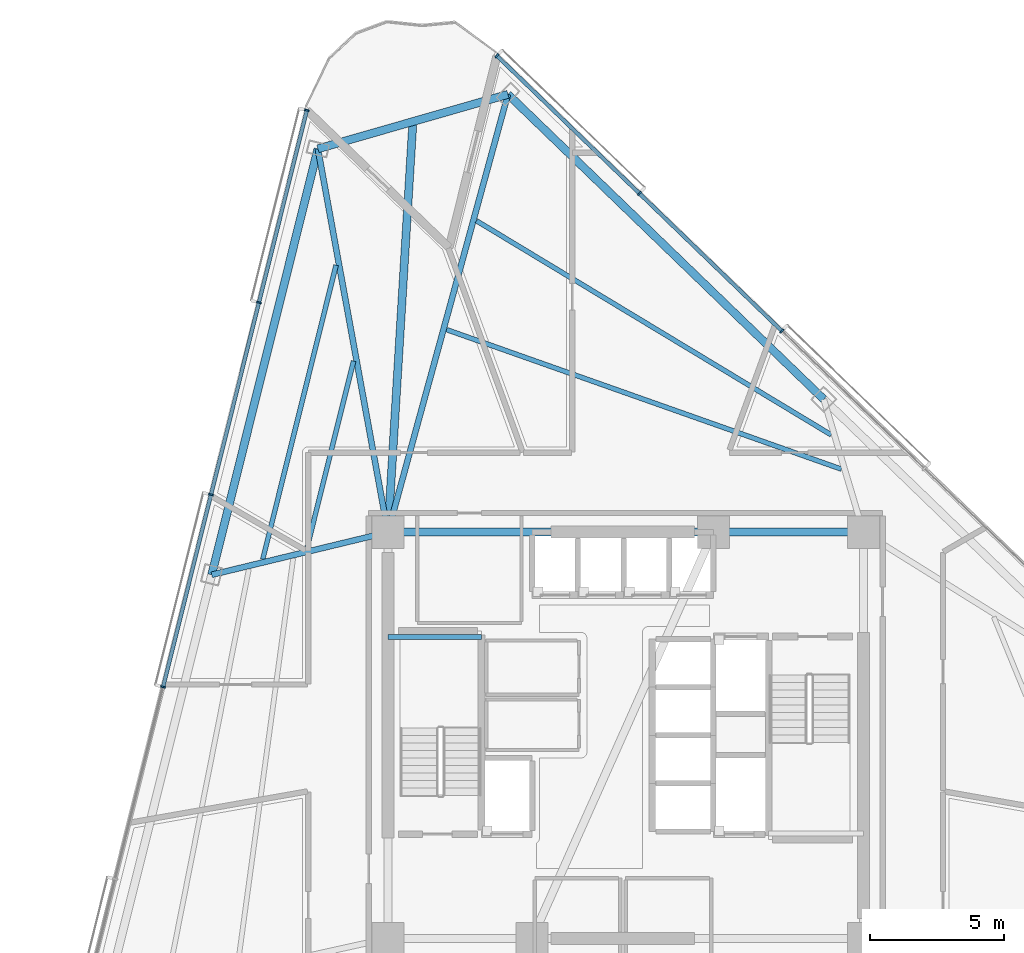
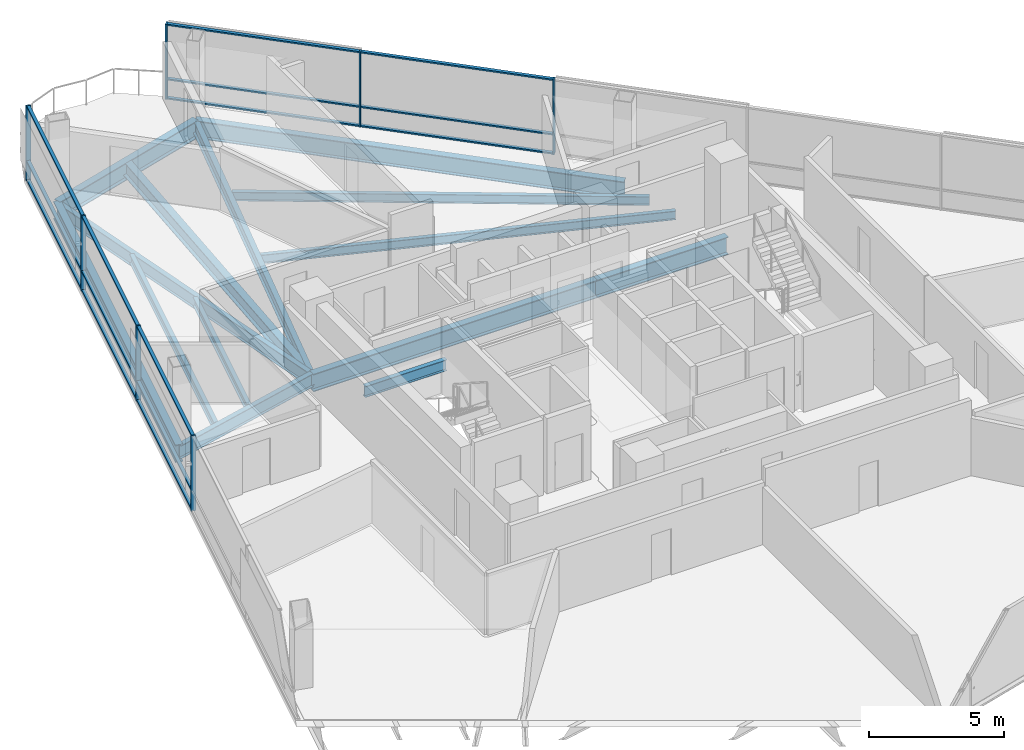
# One storey, part 6 of 19: 22 members, 14 beams, 2 elements without a shape of their own.
"""IFC4 building model written with IfcOpenShell, lengths in metres."""

from ifc_helpers import new_model, si_unit, direction, frame, origin, origin_2d, place, context, subcontext, project, spatial, rectangle, i_section, extrude, material, layer, layer_set, material_profile, profile_set, type_object, element, aggregate, save


model = new_model("IFC4")

# Units and contexts
model_context = context("Model", 3, precision=1e-05, world=origin(), true_north=direction((0.0, 1.0)))
body_context = subcontext(model_context, "Body", "Model", "MODEL_VIEW")
ifc_project = project(units=[si_unit("LENGTHUNIT", "METRE"), si_unit("AREAUNIT", "SQUARE_METRE"), si_unit("VOLUMEUNIT", "CUBIC_METRE"), si_unit("PLANEANGLEUNIT", "RADIAN"), si_unit("MASSUNIT", "GRAM", prefix="KILO")], contexts=[model_context])

# Site, building, storey
site_placement = place(None, origin())
site = spatial("IfcSite", under=ifc_project, at=site_placement, CompositionType="ELEMENT")
building_placement = place(site_placement, origin())
building = spatial("IfcBuilding", under=site, at=building_placement, Name="Tharavind Bronze Gate", CompositionType="ELEMENT")
storey_placement = place(building_placement, frame((0.0, 0.0, 89.699951171875)))
storey = spatial("IfcBuildingStorey", under=building, at=storey_placement, Name="L22", CompositionType="ELEMENT", Elevation=89.699951171875)

# Curtain wall, members
ifc_material_1 = material(Name="Anodised Bronze Aluminium", Category="aluminium")
ifc_layer = layer(ifc_material_1, 0.219970703125)
ifc_layer_set = layer_set([ifc_layer], Name="Anodised Bronze Aluminium")
curtain_wall_type = type_object("IfcCurtainWallType", Name="UNITISED CURTAIN WALL LOWER OFFICE", PredefinedType="USERDEFINED", material=ifc_layer_set)
curtain_wall_1_placement = place(storey_placement, origin())
curtain_wall_1 = element("IfcCurtainWall", 1, at=curtain_wall_1_placement, inside=storey, type_object=curtain_wall_type, Name="L22 unitised curtain wall lower office CW-L22-S1", ObjectType="UNITISED CURTAIN WALL", PredefinedType="USERDEFINED")
member_type_1 = type_object("IfcMemberType", Name="CURTAIN WALL BRONZE MULLION 65X180", PredefinedType="MULLION", material=ifc_material_1)
member_1_placement = place(storey_placement, frame((-11.93359375, 23.394287109375, 0.0), z_axis=(0.0, 0.0, 1.0), x_axis=(-0.2419218956, -0.970295726276, 0.0)))
member_1 = element("IfcMember", 2, at=member_1_placement, type_object=member_type_1, Name="CW-L22-S1 mullion 1", PredefinedType="MULLION", context=body_context, shape_type="SweptSolid", body=[
    extrude(rectangle(XDim=0.06494140625, YDim=0.179931640625, at=origin_2d()), origin(), (0.0, 0.0, 1.0), 3.409912109375),
])
member_2_placement = place(storey_placement, frame((-13.727294921875, 16.2001953125, 0.0), z_axis=(0.0, 0.0, 1.0), x_axis=(-0.2419218956, -0.970295726276, 0.0)))
member_2 = element("IfcMember", 3, at=member_2_placement, type_object=member_type_1, Name="CW-L22-S1 mullion 2", PredefinedType="MULLION", context=body_context, shape_type="SweptSolid", body=[
    extrude(rectangle(XDim=0.06494140625, YDim=0.179931640625, at=origin_2d()), origin(), (0.0, 0.0, 1.0), 3.409912109375),
])
member_3_placement = place(storey_placement, frame((-15.52099609375, 9.00634765625, 0.0), z_axis=(0.0, 0.0, 1.0), x_axis=(-0.2419218956, -0.970295726276, 0.0)))
member_3 = element("IfcMember", 4, at=member_3_placement, type_object=member_type_1, Name="CW-L22-S1 mullion 3", PredefinedType="MULLION", context=body_context, shape_type="SweptSolid", body=[
    extrude(rectangle(XDim=0.06494140625, YDim=0.179931640625, at=origin_2d()), origin(), (0.0, 0.0, 1.0), 3.409912109375),
])
member_4_placement = place(storey_placement, frame((-17.314697265625, 1.812255859375, 0.0), z_axis=(0.0, 0.0, 1.0), x_axis=(-0.2419218956, -0.970295726276, 0.0)))
member_4 = element("IfcMember", 5, at=member_4_placement, type_object=member_type_1, Name="CW-L22-S1 mullion 4", PredefinedType="MULLION", context=body_context, shape_type="SweptSolid", body=[
    extrude(rectangle(XDim=0.06494140625, YDim=0.179931640625, at=origin_2d()), origin(), (0.0, 0.0, 1.0), 3.409912109375),
])

curtain_wall_2_placement = place(storey_placement, origin())
curtain_wall_2 = element("IfcCurtainWall", 6, at=curtain_wall_2_placement, inside=storey, type_object=curtain_wall_type, Name="L22 unitised curtain wall lower office CW-L22-S3", ObjectType="UNITISED CURTAIN WALL", PredefinedType="USERDEFINED")
member_5_placement = place(storey_placement, frame((5.84619140625, 15.13330078125, 0.0), z_axis=(0.0, 0.0, 1.0), x_axis=(-0.719341012745, 0.694657114973, 0.0)))
member_5 = element("IfcMember", 7, at=member_5_placement, type_object=member_type_1, Name="CW-L22-S3 mullion 6", PredefinedType="MULLION", context=body_context, shape_type="SweptSolid", body=[
    extrude(rectangle(XDim=0.06494140625, YDim=0.179931640625, at=origin_2d()), origin(), (0.0, 0.0, 1.0), 3.409912109375),
])
member_6_placement = place(storey_placement, frame((0.512939453125, 20.28369140625, 0.0), z_axis=(0.0, 0.0, 1.0), x_axis=(-0.719341012745, 0.694657114973, 0.0)))
member_6 = element("IfcMember", 8, at=member_6_placement, type_object=member_type_1, Name="CW-L22-S3 mullion 7", PredefinedType="MULLION", context=body_context, shape_type="SweptSolid", body=[
    extrude(rectangle(XDim=0.06494140625, YDim=0.179931640625, at=origin_2d()), origin(), (0.0, 0.0, 1.0), 3.409912109375),
])
member_7_placement = place(storey_placement, frame((-4.8203125, 25.433837890625, 0.0), z_axis=(0.0, 0.0, 1.0), x_axis=(-0.719341012745, 0.694657114973, 0.0)))
member_7 = element("IfcMember", 9, at=member_7_placement, type_object=member_type_1, Name="CW-L22-S3 mullion 8", PredefinedType="MULLION", context=body_context, shape_type="SweptSolid", body=[
    extrude(rectangle(XDim=0.06494140625, YDim=0.179931640625, at=origin_2d()), origin(), (0.0, 0.0, 1.0), 3.409912109375),
])

# Member
member_type_2 = type_object("IfcMemberType", Name="CURTAIN WALL BRONZE TRANSOM 65X140", PredefinedType="USERDEFINED", material=ifc_material_1)
member_8_placement = place(storey_placement, frame((-12.83056640625, 19.797119140625, 0.0), z_axis=(0.0, 0.0, 1.0), x_axis=(-0.2419218956, -0.970295726276, 0.0)))
member_8 = element("IfcMember", 10, at=member_8_placement, type_object=member_type_2, Name="CW-L22-S1 transom TB1", ObjectType="TRANSOM", PredefinedType="USERDEFINED", context=body_context, shape_type="SweptSolid", body=[
    extrude(rectangle(XDim=7.361083984375, YDim=0.139892578125, at=origin_2d()), origin(), (0.0, 0.0, 1.0), 0.06494140625),
])

member_9_placement = place(storey_placement, frame((-12.83056640625, 19.797119140625, 0.86767578125), z_axis=(0.0, 0.0, 1.0), x_axis=(-0.2419218956, -0.970295726276, 0.0)))
member_9 = element("IfcMember", 11, at=member_9_placement, type_object=member_type_2, Name="CW-L22-S1 transom TS1", ObjectType="TRANSOM", PredefinedType="USERDEFINED", context=body_context, shape_type="SweptSolid", body=[
    extrude(rectangle(XDim=7.361083984375, YDim=0.139892578125, at=origin_2d()), origin(), (0.0, 0.0, 1.0), 0.06494140625),
])

member_10_placement = place(storey_placement, frame((-12.83056640625, 19.797119140625, 3.344970703125), z_axis=(0.0, 0.0, 1.0), x_axis=(-0.2419218956, -0.970295726276, 0.0)))
member_10 = element("IfcMember", 12, at=member_10_placement, type_object=member_type_2, Name="CW-L22-S1 transom TT1", ObjectType="TRANSOM", PredefinedType="USERDEFINED", context=body_context, shape_type="SweptSolid", body=[
    extrude(rectangle(XDim=7.361083984375, YDim=0.139892578125, at=origin_2d()), origin(), (0.0, 0.0, 1.0), 0.06494140625),
])

member_11_placement = place(storey_placement, frame((-14.624267578125, 12.603271484375, 0.0), z_axis=(0.0, 0.0, 1.0), x_axis=(-0.2419218956, -0.970295726276, 0.0)))
member_11 = element("IfcMember", 13, at=member_11_placement, type_object=member_type_2, Name="CW-L22-S1 transom TB2", ObjectType="TRANSOM", PredefinedType="USERDEFINED", context=body_context, shape_type="SweptSolid", body=[
    extrude(rectangle(XDim=7.361083984375, YDim=0.139892578125, at=origin_2d()), origin(), (0.0, 0.0, 1.0), 0.06494140625),
])

member_12_placement = place(storey_placement, frame((-14.624267578125, 12.603271484375, 0.86767578125), z_axis=(0.0, 0.0, 1.0), x_axis=(-0.2419218956, -0.970295726276, 0.0)))
member_12 = element("IfcMember", 14, at=member_12_placement, type_object=member_type_2, Name="CW-L22-S1 transom TS2", ObjectType="TRANSOM", PredefinedType="USERDEFINED", context=body_context, shape_type="SweptSolid", body=[
    extrude(rectangle(XDim=7.361083984375, YDim=0.139892578125, at=origin_2d()), origin(), (0.0, 0.0, 1.0), 0.06494140625),
])

member_13_placement = place(storey_placement, frame((-14.624267578125, 12.603271484375, 3.344970703125), z_axis=(0.0, 0.0, 1.0), x_axis=(-0.2419218956, -0.970295726276, 0.0)))
member_13 = element("IfcMember", 15, at=member_13_placement, type_object=member_type_2, Name="CW-L22-S1 transom TT2", ObjectType="TRANSOM", PredefinedType="USERDEFINED", context=body_context, shape_type="SweptSolid", body=[
    extrude(rectangle(XDim=7.361083984375, YDim=0.139892578125, at=origin_2d()), origin(), (0.0, 0.0, 1.0), 0.06494140625),
])

member_14_placement = place(storey_placement, frame((-16.417724609375, 5.4091796875, 0.0), z_axis=(0.0, 0.0, 1.0), x_axis=(-0.2419218956, -0.970295726276, 0.0)))
member_14 = element("IfcMember", 16, at=member_14_placement, type_object=member_type_2, Name="CW-L22-S1 transom TB3", ObjectType="TRANSOM", PredefinedType="USERDEFINED", context=body_context, shape_type="SweptSolid", body=[
    extrude(rectangle(XDim=7.361083984375, YDim=0.139892578125, at=origin_2d()), origin(), (0.0, 0.0, 1.0), 0.06494140625),
])

member_15_placement = place(storey_placement, frame((-16.417724609375, 5.4091796875, 0.86767578125), z_axis=(0.0, 0.0, 1.0), x_axis=(-0.2419218956, -0.970295726276, 0.0)))
member_15 = element("IfcMember", 17, at=member_15_placement, type_object=member_type_2, Name="CW-L22-S1 transom TS3", ObjectType="TRANSOM", PredefinedType="USERDEFINED", context=body_context, shape_type="SweptSolid", body=[
    extrude(rectangle(XDim=7.361083984375, YDim=0.139892578125, at=origin_2d()), origin(), (0.0, 0.0, 1.0), 0.06494140625),
])

member_16_placement = place(storey_placement, frame((-16.417724609375, 5.4091796875, 3.344970703125), z_axis=(0.0, 0.0, 1.0), x_axis=(-0.2419218956, -0.970295726276, 0.0)))
member_16 = element("IfcMember", 18, at=member_16_placement, type_object=member_type_2, Name="CW-L22-S1 transom TT3", ObjectType="TRANSOM", PredefinedType="USERDEFINED", context=body_context, shape_type="SweptSolid", body=[
    extrude(rectangle(XDim=7.361083984375, YDim=0.139892578125, at=origin_2d()), origin(), (0.0, 0.0, 1.0), 0.06494140625),
])

aggregate(curtain_wall_1, [member_1, member_2, member_3, member_4, member_8, member_9, member_10, member_11, member_12, member_13, member_14, member_15, member_16])

member_17_placement = place(storey_placement, frame((3.1796875, 17.70849609375, 0.0), z_axis=(0.0, 0.0, 1.0), x_axis=(-0.719341012745, 0.694657114973, 0.0)))
member_17 = element("IfcMember", 19, at=member_17_placement, type_object=member_type_2, Name="CW-L22-S3 transom TB6", ObjectType="TRANSOM", PredefinedType="USERDEFINED", context=body_context, shape_type="SweptSolid", body=[
    extrude(rectangle(XDim=7.361083984375, YDim=0.139892578125, at=origin_2d()), origin(), (0.0, 0.0, 1.0), 0.06494140625),
])

member_18_placement = place(storey_placement, frame((3.1796875, 17.70849609375, 0.86767578125), z_axis=(0.0, 0.0, 1.0), x_axis=(-0.719341012745, 0.694657114973, 0.0)))
member_18 = element("IfcMember", 20, at=member_18_placement, type_object=member_type_2, Name="CW-L22-S3 transom TS6", ObjectType="TRANSOM", PredefinedType="USERDEFINED", context=body_context, shape_type="SweptSolid", body=[
    extrude(rectangle(XDim=7.361083984375, YDim=0.139892578125, at=origin_2d()), origin(), (0.0, 0.0, 1.0), 0.06494140625),
])

member_19_placement = place(storey_placement, frame((3.1796875, 17.70849609375, 3.344970703125), z_axis=(0.0, 0.0, 1.0), x_axis=(-0.719341012745, 0.694657114973, 0.0)))
member_19 = element("IfcMember", 21, at=member_19_placement, type_object=member_type_2, Name="CW-L22-S3 transom TT6", ObjectType="TRANSOM", PredefinedType="USERDEFINED", context=body_context, shape_type="SweptSolid", body=[
    extrude(rectangle(XDim=7.361083984375, YDim=0.139892578125, at=origin_2d()), origin(), (0.0, 0.0, 1.0), 0.06494140625),
])

member_20_placement = place(storey_placement, frame((-2.15380859375, 22.858642578125, 0.0), z_axis=(0.0, 0.0, 1.0), x_axis=(-0.719341012745, 0.694657114973, 0.0)))
member_20 = element("IfcMember", 22, at=member_20_placement, type_object=member_type_2, Name="CW-L22-S3 transom TB7", ObjectType="TRANSOM", PredefinedType="USERDEFINED", context=body_context, shape_type="SweptSolid", body=[
    extrude(rectangle(XDim=7.361083984375, YDim=0.139892578125, at=origin_2d()), origin(), (0.0, 0.0, 1.0), 0.06494140625),
])

member_21_placement = place(storey_placement, frame((-2.15380859375, 22.858642578125, 0.86767578125), z_axis=(0.0, 0.0, 1.0), x_axis=(-0.719341012745, 0.694657114973, 0.0)))
member_21 = element("IfcMember", 23, at=member_21_placement, type_object=member_type_2, Name="CW-L22-S3 transom TS7", ObjectType="TRANSOM", PredefinedType="USERDEFINED", context=body_context, shape_type="SweptSolid", body=[
    extrude(rectangle(XDim=7.361083984375, YDim=0.139892578125, at=origin_2d()), origin(), (0.0, 0.0, 1.0), 0.06494140625),
])

member_22_placement = place(storey_placement, frame((-2.15380859375, 22.858642578125, 3.344970703125), z_axis=(0.0, 0.0, 1.0), x_axis=(-0.719341012745, 0.694657114973, 0.0)))
member_22 = element("IfcMember", 24, at=member_22_placement, type_object=member_type_2, Name="CW-L22-S3 transom TT7", ObjectType="TRANSOM", PredefinedType="USERDEFINED", context=body_context, shape_type="SweptSolid", body=[
    extrude(rectangle(XDim=7.361083984375, YDim=0.139892578125, at=origin_2d()), origin(), (0.0, 0.0, 1.0), 0.06494140625),
])

aggregate(curtain_wall_2, [member_5, member_6, member_7, member_17, member_18, member_19, member_20, member_21, member_22])

# Beams
ifc_material_2 = material(Name="Steel S355", Category="steel")
ifc_material_profile_1 = material_profile(ifc_material_2, i_section(OverallWidth=0.300048828125, OverallDepth=0.64990234375, WebThickness=0.01611328125, FlangeThickness=0.031005859375, at=origin_2d()), Name="HE650B")
ifc_profile_set_1 = profile_set([ifc_material_profile_1], Name="Steel S355")
beam_type_1 = type_object("IfcBeamType", Name="PRIMARY GIRDER HE650B", PredefinedType="USERDEFINED", material=ifc_profile_set_1)
beam_1_placement = place(storey_placement, frame((-8.89990234375, 7.60009765625, -0.514892578125), z_axis=(0.060795156935, 0.998150263684, 0.0), x_axis=(-0.998150263684, 0.060795156935, 0.0)))
element("IfcBeam", 25, at=beam_1_placement, inside=storey, type_object=beam_type_1, Name="L22 primary girder he650b BM-L22-BLCSB", ObjectType="GIRDER", PredefinedType="USERDEFINED", context=body_context, shape_type="SweptSolid", body=[
    extrude(i_section(OverallWidth=0.300048828125, OverallDepth=0.64990234375, WebThickness=0.01611328125, FlangeThickness=0.031005859375, at=origin_2d()), origin(), (0.0, 0.0, 1.0), 15.400634765625),
])
ifc_material_profile_2 = material_profile(ifc_material_2, i_section(OverallWidth=0.199951171875, OverallDepth=0.5, WebThickness=0.01025390625, FlangeThickness=0.01611328125, at=origin_2d()), Name="IPE500")
ifc_profile_set_2 = profile_set([ifc_material_profile_2], Name="Steel S355")
beam_type_2 = type_object("IfcBeamType", Name="PRIMARY GIRDER IPE500", PredefinedType="USERDEFINED", material=ifc_profile_set_2)
beam_2_placement = place(storey_placement, frame((-8.89990234375, 3.679931640625, 1.35009765625), z_axis=(1.0, 0.0, 0.0), x_axis=(0.0, 1.0, 0.0)))
element("IfcBeam", 26, at=beam_2_placement, inside=storey, type_object=beam_type_2, Name="L22 primary girder ipe500 BM-LD-ST1-L22-1", ObjectType="GIRDER", PredefinedType="USERDEFINED", context=body_context, shape_type="SweptSolid", body=[
    extrude(i_section(OverallWidth=0.199951171875, OverallDepth=0.5, WebThickness=0.01025390625, FlangeThickness=0.01611328125, at=origin_2d()), origin(), (0.0, 0.0, 1.0), 3.5),
])
ifc_material_profile_3 = material_profile(ifc_material_2, i_section(OverallWidth=0.219970703125, OverallDepth=0.60009765625, WebThickness=0.011962890625, FlangeThickness=0.01904296875, at=origin_2d()), Name="IPE600")
ifc_profile_set_3 = profile_set([ifc_material_profile_3], Name="Steel S355")
beam_type_3 = type_object("IfcBeamType", Name="PRIMARY GIRDER IPE600", PredefinedType="USERDEFINED", material=ifc_profile_set_3)
beam_3_placement = place(storey_placement, frame((-11.520263671875, 21.952392578125, -0.489990234375), z_axis=(0.179605485625, -0.983738720156, 0.0), x_axis=(0.983738720156, 0.179605485625, 0.0)))
element("IfcBeam", 27, at=beam_3_placement, inside=storey, type_object=beam_type_3, Name="L22 primary girder ipe600 BM-L22-RAD01", ObjectType="GIRDER", PredefinedType="USERDEFINED", context=body_context, shape_type="SweptSolid", body=[
    extrude(i_section(OverallWidth=0.219970703125, OverallDepth=0.60009765625, WebThickness=0.011962890625, FlangeThickness=0.01904296875, at=origin_2d()), origin(), (0.0, 0.0, 1.0), 14.589599609375),
])
beam_4_placement = place(storey_placement, frame((-15.495849609375, 6.006591796875, -0.489990234375), z_axis=(0.972035781116, 0.234832792069, 0.0), x_axis=(-0.234832792069, 0.972035781116, 0.0)))
element("IfcBeam", 28, at=beam_4_placement, inside=storey, type_object=beam_type_3, Name="L22 primary girder ipe600 BM-L22-RAD02", ObjectType="GIRDER", PredefinedType="USERDEFINED", context=body_context, shape_type="SweptSolid", body=[
    extrude(i_section(OverallWidth=0.219970703125, OverallDepth=0.60009765625, WebThickness=0.011962890625, FlangeThickness=0.01904296875, at=origin_2d()), origin(), (0.0, 0.0, 1.0), 6.78564453125),
])
beam_5_placement = place(storey_placement, frame((-4.406982421875, 23.9921875, -0.489990234375), z_axis=(-0.26434111933, -0.964429247084, 0.0), x_axis=(0.964429247084, -0.26434111933, 0.0)))
element("IfcBeam", 29, at=beam_5_placement, inside=storey, type_object=beam_type_3, Name="L22 primary girder ipe600 BM-L22-RAD12", ObjectType="GIRDER", PredefinedType="USERDEFINED", context=body_context, shape_type="SweptSolid", body=[
    extrude(i_section(OverallWidth=0.219970703125, OverallDepth=0.60009765625, WebThickness=0.011962890625, FlangeThickness=0.01904296875, at=origin_2d()), origin(), (0.0, 0.0, 1.0), 16.99658203125),
])
ifc_material_profile_4 = material_profile(ifc_material_2, i_section(OverallWidth=0.300048828125, OverallDepth=0.800048828125, WebThickness=0.017578125, FlangeThickness=0.032958984375, at=origin_2d()), Name="HE800B")
ifc_profile_set_4 = profile_set([ifc_material_profile_4], Name="Steel S355")
beam_type_4 = type_object("IfcBeamType", Name="RING GIRDER HE800B", PredefinedType="USERDEFINED", material=ifc_profile_set_4)
beam_6_placement = place(storey_placement, frame((8.89990234375, 7.60009765625, -0.58984375), z_axis=(-1.0, 0.0, 0.0), x_axis=(0.0, -1.0, 0.0)))
element("IfcBeam", 30, at=beam_6_placement, inside=storey, type_object=beam_type_4, Name="L22 ring girder he800b BM-L22-CR4", ObjectType="GIRDER", PredefinedType="USERDEFINED", context=body_context, shape_type="SweptSolid", body=[
    extrude(i_section(OverallWidth=0.300048828125, OverallDepth=0.800048828125, WebThickness=0.017578125, FlangeThickness=0.032958984375, at=origin_2d()), origin(), (0.0, 0.0, 1.0), 5.619873046875),
])
beam_7_placement = place(storey_placement, frame((3.280029296875, 7.60009765625, -0.58984375), z_axis=(-1.0, 0.0, 0.0), x_axis=(0.0, -1.0, 0.0)))
element("IfcBeam", 31, at=beam_7_placement, inside=storey, type_object=beam_type_4, Name="L22 ring girder he800b BM-L22-CR5", ObjectType="GIRDER", PredefinedType="USERDEFINED", context=body_context, shape_type="SweptSolid", body=[
    extrude(i_section(OverallWidth=0.300048828125, OverallDepth=0.800048828125, WebThickness=0.017578125, FlangeThickness=0.032958984375, at=origin_2d()), origin(), (0.0, 0.0, 1.0), 12.179931640625),
])
for number, where, z_axis, x_axis, name in (
    (32, (-11.520263671875, 21.952392578125, -0.58984375), (-0.241913375366, -0.970297850569, 0.0), (0.970297850569, -0.241913375366, 0.0), "L22 ring girder he800b BM-L22-PRG01"),
    (33, (7.41455078125, 12.576171875, -0.58984375), (-0.719336950964, 0.694661321061, 0.0), (-0.694661321061, -0.719336950964, 0.0), "L22 ring girder he800b BM-L22-PRG11"),
):
    element("IfcBeam", number, at=place(storey_placement, frame(where, z_axis=z_axis, x_axis=x_axis)), inside=storey, type_object=beam_type_4, Name=name, ObjectType="GIRDER", PredefinedType="USERDEFINED", context=body_context, shape_type="SweptSolid", body=[
        extrude(i_section(OverallWidth=0.300048828125, OverallDepth=0.800048828125, WebThickness=0.017578125, FlangeThickness=0.032958984375, at=origin_2d()), origin(), (0.0, 0.0, 1.0), 16.433837890625),
    ])
beam_8_placement = place(storey_placement, frame((-4.406982421875, 23.9921875, -0.58984375), z_axis=(-0.961258317766, -0.275649136633, 0.0), x_axis=(0.275649136633, -0.961258317766, 0.0)))
element("IfcBeam", 34, at=beam_8_placement, inside=storey, type_object=beam_type_4, Name="L22 ring girder he800b BM-L22-PRG12", ObjectType="GIRDER", PredefinedType="USERDEFINED", context=body_context, shape_type="SweptSolid", body=[
    extrude(i_section(OverallWidth=0.300048828125, OverallDepth=0.800048828125, WebThickness=0.017578125, FlangeThickness=0.032958984375, at=origin_2d()), origin(), (0.0, 0.0, 1.0), 7.39990234375),
])
ifc_material_profile_5 = material_profile(ifc_material_2, i_section(OverallWidth=0.179931640625, OverallDepth=0.39990234375, WebThickness=0.008544921875, FlangeThickness=0.013427734375, at=origin_2d()), Name="IPE400")
ifc_profile_set_5 = profile_set([ifc_material_profile_5], Name="Steel S355")
beam_type_5 = type_object("IfcBeamType", Name="SECONDARY FLOOR JOIST IPE400", PredefinedType="JOIST", material=ifc_profile_set_5)
beam_9_placement = place(storey_placement, frame((-10.183837890625, 14.010986328125, -0.389892578125), z_axis=(-0.241924860908, -0.970294986937, 0.0), x_axis=(0.970294986937, -0.241924860908, 0.0)))
element("IfcBeam", 35, at=beam_9_placement, inside=storey, type_object=beam_type_5, Name="L22 secondary floor joist ipe400 BM-L22-JSTA01", PredefinedType="JOIST", context=body_context, shape_type="SweptSolid", body=[
    extrude(i_section(OverallWidth=0.179931640625, OverallDepth=0.39990234375, WebThickness=0.008544921875, FlangeThickness=0.013427734375, at=origin_2d()), origin(), (0.0, 0.0, 1.0), 7.24267578125),
])
beam_10_placement = place(storey_placement, frame((-10.839111328125, 17.59912109375, -0.389892578125), z_axis=(-0.241923228162, -0.97029539403, 0.0), x_axis=(0.97029539403, -0.241923228162, 0.0)))
element("IfcBeam", 36, at=beam_10_placement, inside=storey, type_object=beam_type_5, Name="L22 secondary floor joist ipe400 BM-L22-JSTB01", PredefinedType="JOIST", context=body_context, shape_type="SweptSolid", body=[
    extrude(i_section(OverallWidth=0.179931640625, OverallDepth=0.39990234375, WebThickness=0.008544921875, FlangeThickness=0.013427734375, at=origin_2d()), origin(), (0.0, 0.0, 1.0), 11.35107421875),
])
beam_11_placement = place(storey_placement, frame((8.0771484375, 9.960693359375, -0.389892578125), z_axis=(-0.942851952472, 0.333211938141, 0.0), x_axis=(-0.333211938141, -0.942851952472, 0.0)))
element("IfcBeam", 37, at=beam_11_placement, inside=storey, type_object=beam_type_5, Name="L22 secondary floor joist ipe400 BM-L22-JSTA11", PredefinedType="JOIST", context=body_context, shape_type="SweptSolid", body=[
    extrude(i_section(OverallWidth=0.179931640625, OverallDepth=0.39990234375, WebThickness=0.008544921875, FlangeThickness=0.013427734375, at=origin_2d()), origin(), (0.0, 0.0, 1.0), 15.67578125),
])
beam_12_placement = place(storey_placement, frame((7.694580078125, 11.244384765625, -0.389892578125), z_axis=(-0.856169414419, 0.516695203977, 0.0), x_axis=(-0.516695203977, -0.856169414419, 0.0)))
element("IfcBeam", 38, at=beam_12_placement, inside=storey, type_object=beam_type_5, Name="L22 secondary floor joist ipe400 BM-L22-JSTB11", PredefinedType="JOIST", context=body_context, shape_type="SweptSolid", body=[
    extrude(i_section(OverallWidth=0.179931640625, OverallDepth=0.39990234375, WebThickness=0.008544921875, FlangeThickness=0.013427734375, at=origin_2d()), origin(), (0.0, 0.0, 1.0), 15.51171875),
])

save(model, "model.ifc")
